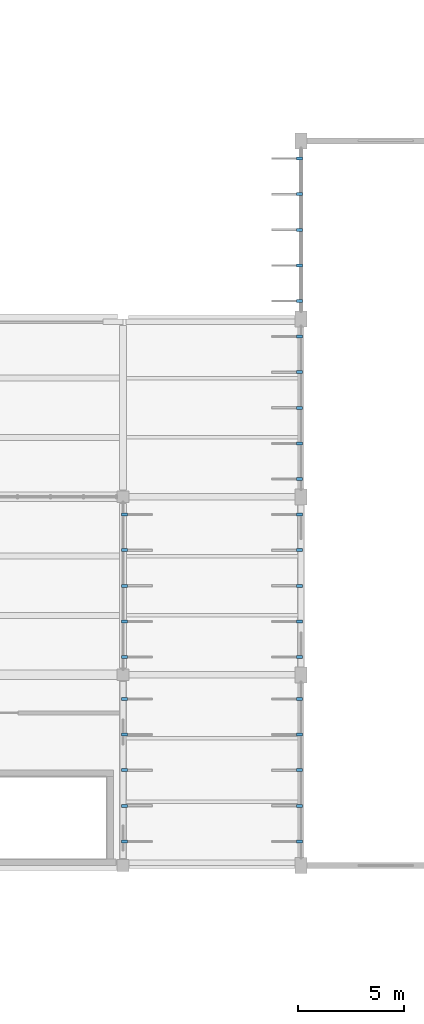
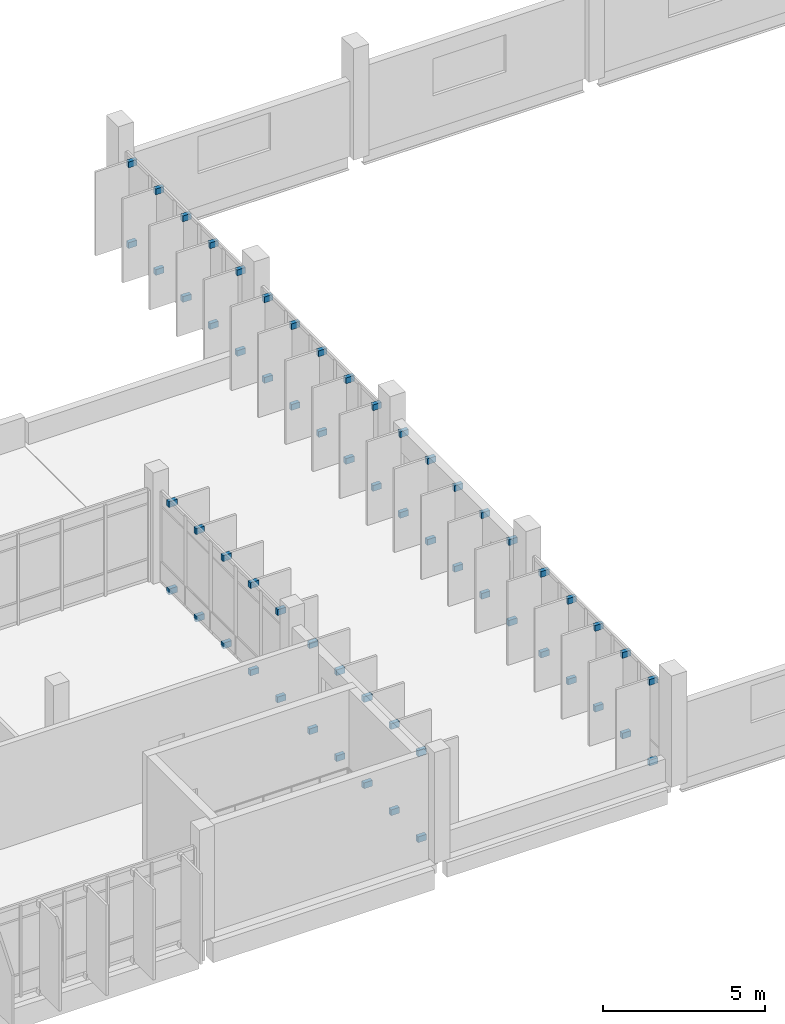
# One storey, part 124 of 130: 60 discrete accessories.
"""IFC4 building model written with IfcOpenShell, lengths in metres."""

from ifc_helpers import new_model, si_unit, direction, frame, origin, origin_2d, place, context, subcontext, project, spatial, rectangle, extrude, material, type_object, element, save


model = new_model("IFC4")

# Units and contexts
model_context = context("Model", 3, precision=1e-05, world=origin(), true_north=direction((0.0, 1.0)))
body_context = subcontext(model_context, "Body", "Model", "MODEL_VIEW")
ifc_project = project(units=[si_unit("LENGTHUNIT", "METRE"), si_unit("AREAUNIT", "SQUARE_METRE"), si_unit("VOLUMEUNIT", "CUBIC_METRE"), si_unit("PLANEANGLEUNIT", "RADIAN"), si_unit("MASSUNIT", "GRAM", prefix="KILO")], contexts=[model_context])

# Site, building, storey
site_placement = place(None, origin())
site = spatial("IfcSite", under=ifc_project, at=site_placement, CompositionType="ELEMENT")
building_placement = place(site_placement, origin())
building = spatial("IfcBuilding", under=site, at=building_placement, Name="Vireocrest Preparatory School", CompositionType="ELEMENT")
storey_placement = place(building_placement, frame((0.0, 0.0, 9.0)))
storey = spatial("IfcBuildingStorey", under=building, at=storey_placement, Name="L02", CompositionType="ELEMENT", Elevation=9.0)

# Discrete accessories
ifc_material = material(Name="Structural steel ASTM A572 Grade 50", Category="steel")
discrete_accessory_type = type_object("IfcDiscreteAccessoryType", Name="Slab-Edge Steel Outrigger Fin Bracket", PredefinedType="BRACKET", material=ifc_material)
for number, where, z_axis, x_axis, name in (
    (1, (134.469970703125, 19.139892578125, -0.08984375), (0.0, 0.0, 1.0), (0.0, -1.0, 0.0), "Solar Fin Outrigger Bracket BK1 L02-27-1-BOT"),
    (2, (134.469970703125, 19.139892578125, 3.16015625), (0.0, 0.0, 1.0), (0.0, -1.0, 0.0), "Solar Fin Outrigger Bracket BK1 L02-27-1-TOP"),
    (3, (134.469970703125, 20.820068359375, -0.08984375), (0.0, 0.0, 1.0), (0.0, -1.0, 0.0), "Solar Fin Outrigger Bracket BK1 L02-27-2-BOT"),
    (4, (134.469970703125, 20.820068359375, 3.16015625), (0.0, 0.0, 1.0), (0.0, -1.0, 0.0), "Solar Fin Outrigger Bracket BK1 L02-27-2-TOP"),
    (5, (134.469970703125, 22.5, -0.08984375), (0.0, 0.0, 1.0), (0.0, -1.0, 0.0), "Solar Fin Outrigger Bracket BK1 L02-27-3-BOT"),
    (6, (134.469970703125, 22.5, 3.16015625), (0.0, 0.0, 1.0), (0.0, -1.0, 0.0), "Solar Fin Outrigger Bracket BK1 L02-27-3-TOP"),
    (7, (134.469970703125, 24.179931640625, -0.08984375), (0.0, 0.0, 1.0), (0.0, -1.0, 0.0), "Solar Fin Outrigger Bracket BK1 L02-27-4-BOT"),
    (8, (134.469970703125, 24.179931640625, 3.16015625), (0.0, 0.0, 1.0), (0.0, -1.0, 0.0), "Solar Fin Outrigger Bracket BK1 L02-27-4-TOP"),
    (9, (134.469970703125, 25.860107421875, -0.08984375), (0.0, 0.0, 1.0), (0.0, -1.0, 0.0), "Solar Fin Outrigger Bracket BK1 L02-27-5-BOT"),
    (10, (134.469970703125, 25.860107421875, 3.16015625), (0.0, 0.0, 1.0), (0.0, -1.0, 0.0), "Solar Fin Outrigger Bracket BK1 L02-27-5-TOP"),
    (11, (134.469970703125, 27.840087890625, -0.08984375), (0.0, 0.0, 1.0), (0.0, -1.0, 0.0), "Solar Fin Outrigger Bracket BK1 L02-28-1-BOT"),
    (12, (134.469970703125, 27.840087890625, 3.2099609375), (0.0, 0.0, 1.0), (0.0, -1.0, 0.0), "Solar Fin Outrigger Bracket BK1 L02-28-1-TOP"),
    (13, (134.469970703125, 29.52001953125, -0.08984375), (0.0, 0.0, 1.0), (0.0, -1.0, 0.0), "Solar Fin Outrigger Bracket BK1 L02-28-2-BOT"),
    (14, (134.469970703125, 29.52001953125, 3.2099609375), (0.0, 0.0, 1.0), (0.0, -1.0, 0.0), "Solar Fin Outrigger Bracket BK1 L02-28-2-TOP"),
    (15, (134.469970703125, 31.199951171875, -0.08984375), (0.0, 0.0, 1.0), (0.0, -1.0, 0.0), "Solar Fin Outrigger Bracket BK1 L02-28-3-BOT"),
    (16, (134.469970703125, 31.199951171875, 3.2099609375), (0.0, 0.0, 1.0), (0.0, -1.0, 0.0), "Solar Fin Outrigger Bracket BK1 L02-28-3-TOP"),
    (17, (134.469970703125, 32.8798828125, -0.08984375), (0.0, 0.0, 1.0), (0.0, -1.0, 0.0), "Solar Fin Outrigger Bracket BK1 L02-28-4-BOT"),
    (18, (134.469970703125, 32.8798828125, 3.2099609375), (0.0, 0.0, 1.0), (0.0, -1.0, 0.0), "Solar Fin Outrigger Bracket BK1 L02-28-4-TOP"),
    (19, (134.469970703125, 34.56005859375, -0.08984375), (0.0, 0.0, 1.0), (0.0, -1.0, 0.0), "Solar Fin Outrigger Bracket BK1 L02-28-5-BOT"),
    (20, (134.469970703125, 34.56005859375, 3.2099609375), (0.0, 0.0, 1.0), (0.0, -1.0, 0.0), "Solar Fin Outrigger Bracket BK1 L02-28-5-TOP"),
    (21, (142.72998046875, 19.139892578125, -0.08984375), (0.0, 0.0, 1.0), (0.0, 1.0, 0.0), "Solar Fin Outrigger Bracket BK1 L02-29-1-BOT"),
    (22, (142.72998046875, 19.139892578125, 2.95703125), (0.0, 0.0, 1.0), (0.0, 1.0, 0.0), "Solar Fin Outrigger Bracket BK1 L02-29-1-TOP"),
    (23, (142.72998046875, 20.820068359375, -0.08984375), (0.0, 0.0, 1.0), (0.0, 1.0, 0.0), "Solar Fin Outrigger Bracket BK1 L02-29-2-BOT"),
    (24, (142.72998046875, 20.820068359375, 2.95703125), (0.0, 0.0, 1.0), (0.0, 1.0, 0.0), "Solar Fin Outrigger Bracket BK1 L02-29-2-TOP"),
    (25, (142.72998046875, 22.5, -0.08984375), (0.0, 0.0, 1.0), (0.0, 1.0, 0.0), "Solar Fin Outrigger Bracket BK1 L02-29-3-BOT"),
    (26, (142.72998046875, 22.5, 2.95703125), (0.0, 0.0, 1.0), (0.0, 1.0, 0.0), "Solar Fin Outrigger Bracket BK1 L02-29-3-TOP"),
    (27, (142.72998046875, 24.179931640625, -0.08984375), (0.0, 0.0, 1.0), (0.0, 1.0, 0.0), "Solar Fin Outrigger Bracket BK1 L02-29-4-BOT"),
    (28, (142.72998046875, 24.179931640625, 2.95703125), (0.0, 0.0, 1.0), (0.0, 1.0, 0.0), "Solar Fin Outrigger Bracket BK1 L02-29-4-TOP"),
    (29, (142.72998046875, 25.860107421875, -0.08984375), (0.0, 0.0, 1.0), (0.0, 1.0, 0.0), "Solar Fin Outrigger Bracket BK1 L02-29-5-BOT"),
    (30, (142.72998046875, 25.860107421875, 2.95703125), (0.0, 0.0, 1.0), (0.0, 1.0, 0.0), "Solar Fin Outrigger Bracket BK1 L02-29-5-TOP"),
    (31, (142.72998046875, 27.840087890625, -0.08984375), (0.0, 0.0, 1.0), (0.0, 1.0, 0.0), "Solar Fin Outrigger Bracket BK1 L02-30-1-BOT"),
    (32, (142.72998046875, 27.840087890625, 2.95703125), (0.0, 0.0, 1.0), (0.0, 1.0, 0.0), "Solar Fin Outrigger Bracket BK1 L02-30-1-TOP"),
    (33, (142.72998046875, 29.52001953125, -0.08984375), (0.0, 0.0, 1.0), (0.0, 1.0, 0.0), "Solar Fin Outrigger Bracket BK1 L02-30-2-BOT"),
    (34, (142.72998046875, 29.52001953125, 2.95703125), (0.0, 0.0, 1.0), (0.0, 1.0, 0.0), "Solar Fin Outrigger Bracket BK1 L02-30-2-TOP"),
    (35, (142.72998046875, 31.199951171875, -0.08984375), (0.0, 0.0, 1.0), (0.0, 1.0, 0.0), "Solar Fin Outrigger Bracket BK1 L02-30-3-BOT"),
    (36, (142.72998046875, 31.199951171875, 2.95703125), (0.0, 0.0, 1.0), (0.0, 1.0, 0.0), "Solar Fin Outrigger Bracket BK1 L02-30-3-TOP"),
    (37, (142.72998046875, 32.8798828125, -0.08984375), (0.0, 0.0, 1.0), (0.0, 1.0, 0.0), "Solar Fin Outrigger Bracket BK1 L02-30-4-BOT"),
    (38, (142.72998046875, 32.8798828125, 2.95703125), (0.0, 0.0, 1.0), (0.0, 1.0, 0.0), "Solar Fin Outrigger Bracket BK1 L02-30-4-TOP"),
    (39, (142.72998046875, 34.56005859375, -0.08984375), (0.0, 0.0, 1.0), (0.0, 1.0, 0.0), "Solar Fin Outrigger Bracket BK1 L02-30-5-BOT"),
    (40, (142.72998046875, 34.56005859375, 2.95703125), (0.0, 0.0, 1.0), (0.0, 1.0, 0.0), "Solar Fin Outrigger Bracket BK1 L02-30-5-TOP"),
    (41, (142.72998046875, 36.239990234375, -0.08984375), (0.0, 0.0, 1.0), (0.0, 1.0, 0.0), "Solar Fin Outrigger Bracket BK1 L02-31-1-BOT"),
    (42, (142.72998046875, 36.239990234375, 2.95703125), (0.0, 0.0, 1.0), (0.0, 1.0, 0.0), "Solar Fin Outrigger Bracket BK1 L02-31-1-TOP"),
    (43, (142.72998046875, 37.919921875, -0.08984375), (0.0, 0.0, 1.0), (0.0, 1.0, 0.0), "Solar Fin Outrigger Bracket BK1 L02-31-2-BOT"),
    (44, (142.72998046875, 37.919921875, 2.95703125), (0.0, 0.0, 1.0), (0.0, 1.0, 0.0), "Solar Fin Outrigger Bracket BK1 L02-31-2-TOP"),
    (45, (142.72998046875, 39.60009765625, -0.08984375), (0.0, 0.0, 1.0), (0.0, 1.0, 0.0), "Solar Fin Outrigger Bracket BK1 L02-31-3-BOT"),
    (46, (142.72998046875, 39.60009765625, 2.95703125), (0.0, 0.0, 1.0), (0.0, 1.0, 0.0), "Solar Fin Outrigger Bracket BK1 L02-31-3-TOP"),
    (47, (142.72998046875, 41.280029296875, -0.08984375), (0.0, 0.0, 1.0), (0.0, 1.0, 0.0), "Solar Fin Outrigger Bracket BK1 L02-31-4-BOT"),
    (48, (142.72998046875, 41.280029296875, 2.95703125), (0.0, 0.0, 1.0), (0.0, 1.0, 0.0), "Solar Fin Outrigger Bracket BK1 L02-31-4-TOP"),
    (49, (142.72998046875, 42.9599609375, -0.08984375), (0.0, 0.0, 1.0), (0.0, 1.0, 0.0), "Solar Fin Outrigger Bracket BK1 L02-31-5-BOT"),
    (50, (142.72998046875, 42.9599609375, 2.95703125), (0.0, 0.0, 1.0), (0.0, 1.0, 0.0), "Solar Fin Outrigger Bracket BK1 L02-31-5-TOP"),
    (51, (142.72998046875, 44.639892578125, -0.08984375), (0.0, 0.0, 1.0), (0.0, 1.0, 0.0), "Solar Fin Outrigger Bracket BK1 L02-32-1-BOT"),
    (52, (142.72998046875, 44.639892578125, 2.95703125), (0.0, 0.0, 1.0), (0.0, 1.0, 0.0), "Solar Fin Outrigger Bracket BK1 L02-32-1-TOP"),
    (53, (142.72998046875, 46.320068359375, -0.08984375), (0.0, 0.0, 1.0), (0.0, 1.0, 0.0), "Solar Fin Outrigger Bracket BK1 L02-32-2-BOT"),
    (54, (142.72998046875, 46.320068359375, 2.95703125), (0.0, 0.0, 1.0), (0.0, 1.0, 0.0), "Solar Fin Outrigger Bracket BK1 L02-32-2-TOP"),
    (55, (142.72998046875, 48.0, -0.08984375), (0.0, 0.0, 1.0), (0.0, 1.0, 0.0), "Solar Fin Outrigger Bracket BK1 L02-32-3-BOT"),
    (56, (142.72998046875, 48.0, 2.95703125), (0.0, 0.0, 1.0), (0.0, 1.0, 0.0), "Solar Fin Outrigger Bracket BK1 L02-32-3-TOP"),
    (57, (142.72998046875, 49.679931640625, -0.08984375), (0.0, 0.0, 1.0), (0.0, 1.0, 0.0), "Solar Fin Outrigger Bracket BK1 L02-32-4-BOT"),
    (58, (142.72998046875, 49.679931640625, 2.95703125), (0.0, 0.0, 1.0), (0.0, 1.0, 0.0), "Solar Fin Outrigger Bracket BK1 L02-32-4-TOP"),
    (59, (142.72998046875, 51.360107421875, -0.08984375), (0.0, 0.0, 1.0), (0.0, 1.0, 0.0), "Solar Fin Outrigger Bracket BK1 L02-32-5-BOT"),
    (60, (142.72998046875, 51.360107421875, 2.95703125), (0.0, 0.0, 1.0), (0.0, 1.0, 0.0), "Solar Fin Outrigger Bracket BK1 L02-32-5-TOP"),
):
    element("IfcDiscreteAccessory", number, at=place(storey_placement, frame(where, z_axis=z_axis, x_axis=x_axis)), inside=storey, type_object=discrete_accessory_type, Name=name, PredefinedType="BRACKET", context=body_context, shape_type="SweptSolid", body=[
        extrude(rectangle(XDim=0.139892578125, YDim=0.300048828125, at=origin_2d()), origin(), (0.0, 0.0, 1.0), 0.219970703125),
    ])

save(model, "model.ifc")
